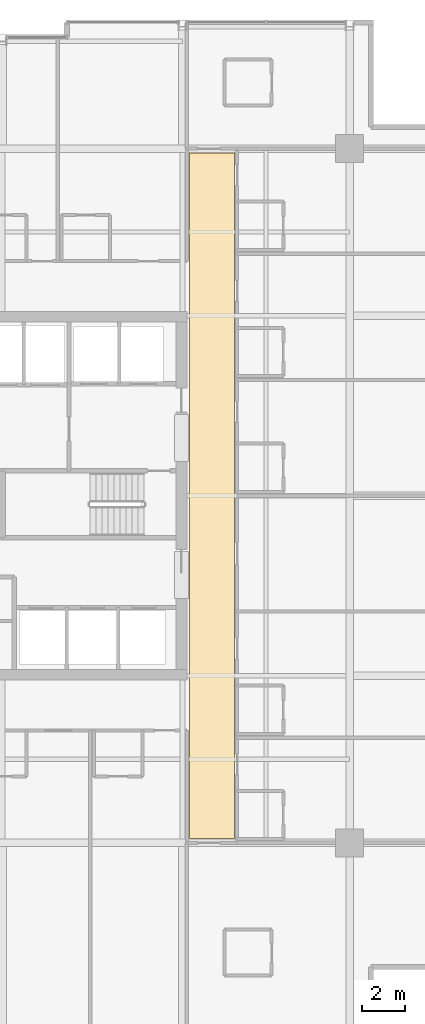
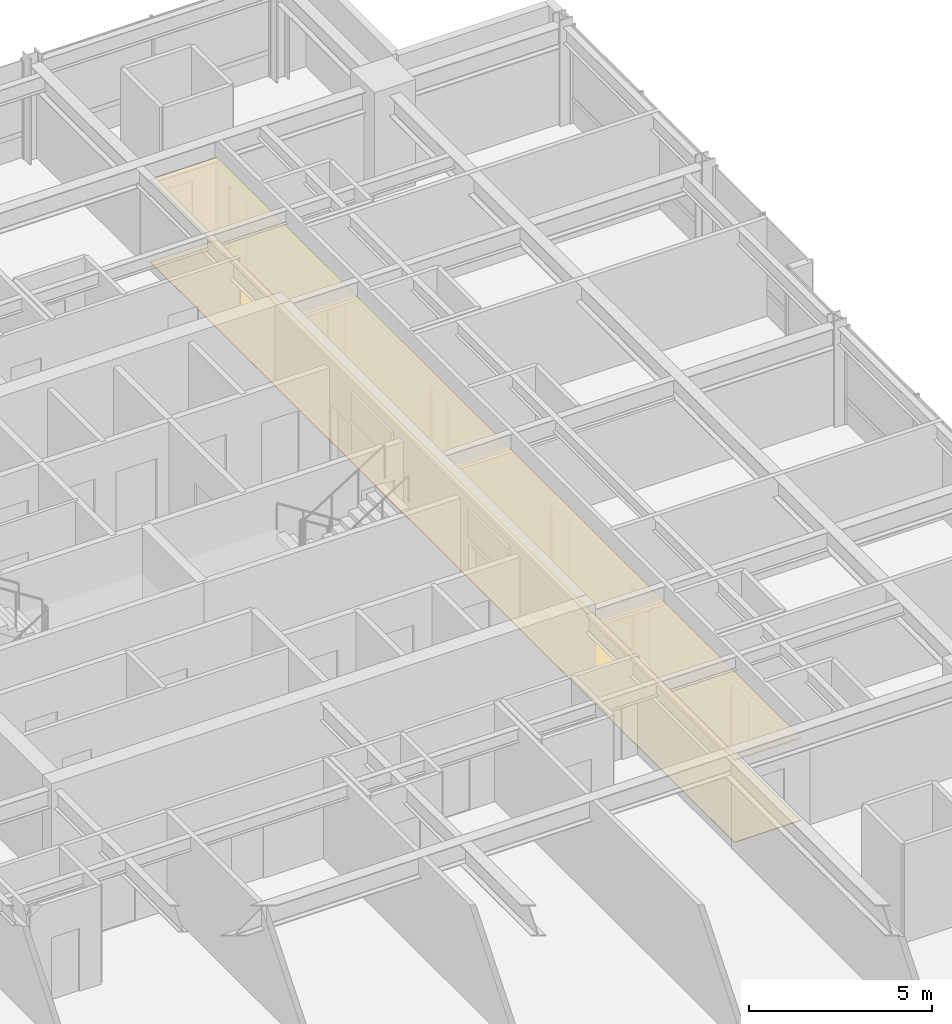
# One storey, part 32 of 32: 2 coverings.
"""IFC4 building model written with IfcOpenShell, lengths in metres."""

from ifc_helpers import new_model, si_unit, direction, frame, origin, place, context, subcontext, project, spatial, polyline, outline, extrude, material, layer, layer_set, type_object, element, save


model = new_model("IFC4")

# Units and contexts
model_context = context("Model", 3, precision=1e-05, world=origin(), true_north=direction((0.0, 1.0)))
body_context = subcontext(model_context, "Body", "Model", "MODEL_VIEW")
ifc_project = project(units=[si_unit("LENGTHUNIT", "METRE"), si_unit("AREAUNIT", "SQUARE_METRE"), si_unit("VOLUMEUNIT", "CUBIC_METRE"), si_unit("PLANEANGLEUNIT", "RADIAN"), si_unit("MASSUNIT", "GRAM", prefix="KILO")], contexts=[model_context])

# Site, building, storey
site_placement = place(None, origin())
site = spatial("IfcSite", under=ifc_project, at=site_placement, CompositionType="ELEMENT")
building_placement = place(site_placement, origin())
building = spatial("IfcBuilding", under=site, at=building_placement, Name="Drelvath Grand Hotel", CompositionType="ELEMENT")
storey_placement = place(building_placement, frame((0.0, 0.0, 157.5)))
storey = spatial("IfcBuildingStorey", under=building, at=storey_placement, Name="L40", CompositionType="ELEMENT", Elevation=157.5)

# Coverings
ifc_material_1 = material(Name="Woven Wool Broadloom Carpet")
ifc_layer_1 = layer(ifc_material_1, 0.01806640625)
ifc_layer_set_1 = layer_set([ifc_layer_1], Name="Woven Wool Broadloom Carpet")
covering_type_1 = type_object("IfcCoveringType", Name="Hospitality Broadloom Carpet 18", PredefinedType="FLOORING", material=ifc_layer_set_1)
covering_1_placement = place(storey_placement, origin())
element("IfcCovering", 1, at=covering_1_placement, inside=storey, type_object=covering_type_1, Name="L40 East Spine Carpet", PredefinedType="FLOORING", context=body_context, shape_type="SweptSolid", body=[
    extrude(outline(polyline([(10.830078125, 11.0), (10.830078125, 43.0), (8.719970703125, 43.0), (8.719970703125, 11.0), (10.830078125, 11.0)])), origin(), (0.0, 0.0, 1.0), 0.01806640625),
])
ifc_material_2 = material(Name="Anodised Aluminium Alloy", Category="aluminium")
ifc_layer_2 = layer(ifc_material_2, 0.0400390625)
ifc_layer_set_2 = layer_set([ifc_layer_2], Name="Anodised Aluminium Alloy")
covering_type_2 = type_object("IfcCoveringType", Name="Perforated Metal Corridor Ceiling 40", PredefinedType="CEILING", material=ifc_layer_set_2)
covering_2_placement = place(storey_placement, frame((0.0, 0.0, 2.739990234375)))
element("IfcCovering", 2, at=covering_2_placement, inside=storey, type_object=covering_type_2, Name="L40 East Spine Ceiling", PredefinedType="CEILING", context=body_context, shape_type="SweptSolid", body=[
    extrude(outline(polyline([(10.830078125, 11.0), (10.830078125, 43.0), (8.719970703125, 43.0), (8.719970703125, 11.0), (10.830078125, 11.0)])), origin(), (0.0, 0.0, 1.0), 0.0400390625),
])

save(model, "model.ifc")
